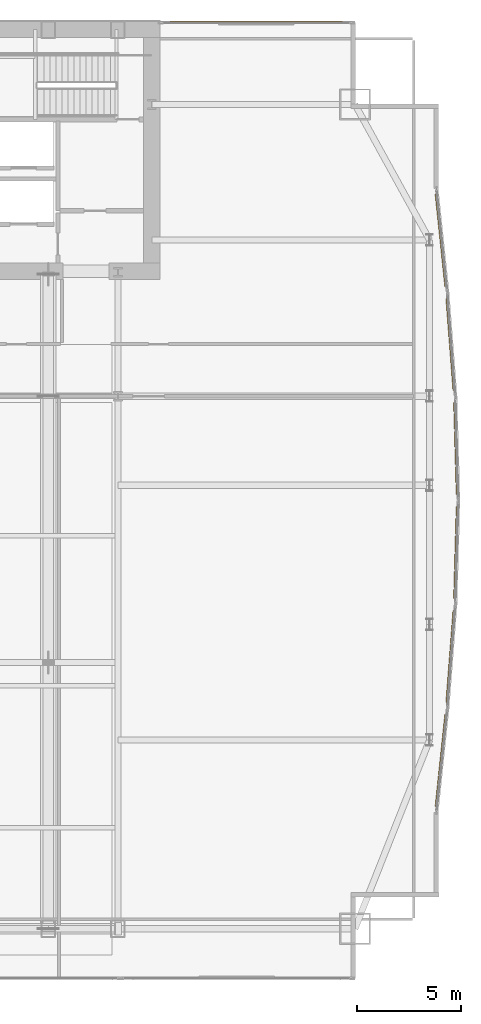
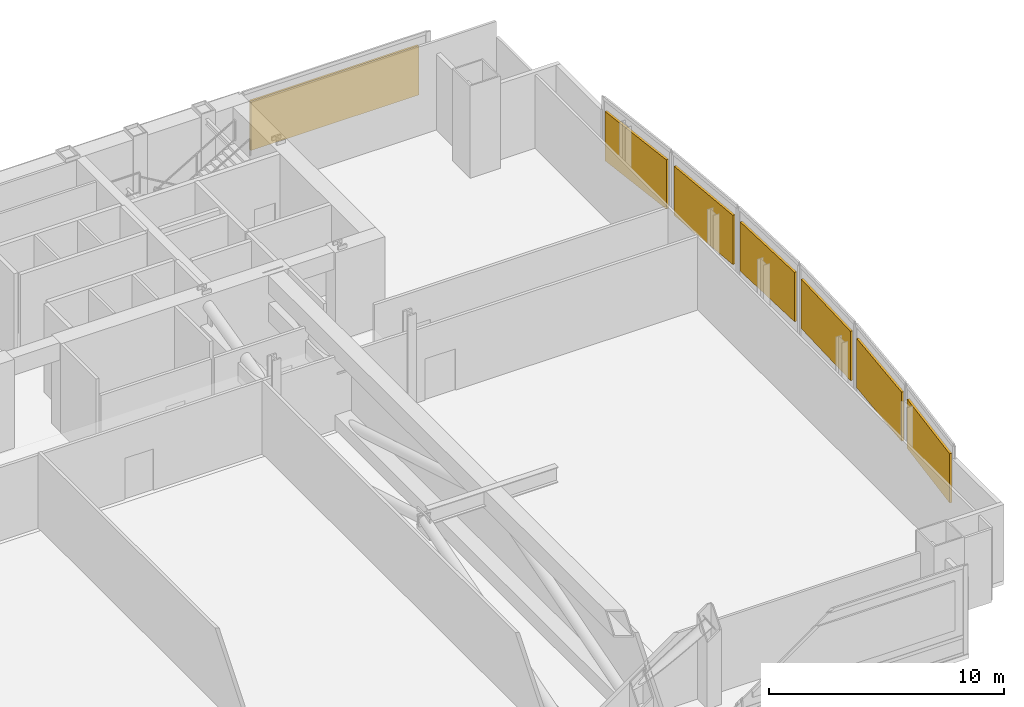
# One storey, part 32 of 32: 7 shading devices.
"""IFC4 building model written with IfcOpenShell, lengths in metres."""

from ifc_helpers import new_model, si_unit, direction, frame, origin, origin_2d, place, context, subcontext, project, spatial, rectangle, extrude, material, layer, layer_set, type_object, element, save


model = new_model("IFC4")

# Units and contexts
model_context = context("Model", 3, precision=1e-05, world=origin(), true_north=direction((0.0, 1.0)))
body_context = subcontext(model_context, "Body", "Model", "MODEL_VIEW")
ifc_project = project(units=[si_unit("LENGTHUNIT", "METRE"), si_unit("AREAUNIT", "SQUARE_METRE"), si_unit("VOLUMEUNIT", "CUBIC_METRE"), si_unit("PLANEANGLEUNIT", "RADIAN"), si_unit("MASSUNIT", "GRAM", prefix="KILO")], contexts=[model_context])

# Site, building, storey
site_placement = place(None, origin())
site = spatial("IfcSite", under=ifc_project, at=site_placement, CompositionType="ELEMENT")
building_placement = place(site_placement, origin())
building = spatial("IfcBuilding", under=site, at=building_placement, Name="Khoronbel Lancet Exchange", CompositionType="ELEMENT")
storey_placement = place(building_placement, frame((0.0, 0.0, 85.800048828125)))
storey = spatial("IfcBuildingStorey", under=building, at=storey_placement, Name="L20", CompositionType="ELEMENT", Elevation=85.800048828125)

# Shading devices
ifc_material = material(Name="Bronze-Anodised Aluminium 6063-T6", Category="aluminium")
ifc_layer = layer(ifc_material, 0.1201171875, Name="Bronze-Anodised Aluminium 6063-T6")
ifc_layer_set = layer_set([ifc_layer], Name="Bronze-Anodised Aluminium 6063-T6")
shading_device_type = type_object("IfcShadingDeviceType", Name="SHD-LVR1", PredefinedType="JALOUSIE", material=ifc_layer_set)
shading_device_1_placement = place(storey_placement, frame((61.320068359375, 53.64990234375, 1.46826171875), z_axis=(0.0, 0.0, 1.0), x_axis=(-1.0, 0.0, 0.0)))
element("IfcShadingDevice", 1, at=shading_device_1_placement, inside=storey, type_object=shading_device_type, Name="Sand-trap bronze acoustic louvre CW-L20-NEFLK-1", PredefinedType="JALOUSIE", context=body_context, shape_type="SweptSolid", body=[
    extrude(rectangle(XDim=8.27099609375, YDim=0.1201171875, at=origin_2d()), origin(), (0.0, 0.0, 1.0), 2.563232421875),
])
shading_device_2_placement = place(storey_placement, frame((70.182861328125, 43.189453125, 1.46826171875), z_axis=(0.0, 0.0, 1.0), x_axis=(0.104434383958, -0.994531779003, 0.0)))
element("IfcShadingDevice", 2, at=shading_device_2_placement, inside=storey, type_object=shading_device_type, Name="Sand-trap bronze acoustic louvre CW-L20-E17-1", PredefinedType="JALOUSIE", context=body_context, shape_type="SweptSolid", body=[
    extrude(rectangle(XDim=4.44677734375, YDim=0.1201171875, at=origin_2d()), origin(), (0.0, 0.0, 1.0), 2.563232421875),
])
shading_device_3_placement = place(storey_placement, frame((70.637451171875, 38.1904296875, 1.46826171875), z_axis=(0.0, 0.0, 1.0), x_axis=(0.076626304874, -0.997059882555, 0.0)))
element("IfcShadingDevice", 3, at=shading_device_3_placement, inside=storey, type_object=shading_device_type, Name="Sand-trap bronze acoustic louvre CW-L20-E18-1", PredefinedType="JALOUSIE", context=body_context, shape_type="SweptSolid", body=[
    extrude(rectangle(XDim=4.42919921875, YDim=0.1201171875, at=origin_2d()), origin(), (0.0, 0.0, 1.0), 2.563232421875),
])
for number, where, z_axis, x_axis, name in (
    (4, (70.899658203125, 33.196533203125, 1.46826171875), (0.0, 0.0, 1.0), (0.028135315146, -0.999604123662, 0.0), "Sand-trap bronze acoustic louvre CW-L20-E19-1"),
    (5, (70.899658203125, 28.20361328125, 1.46826171875), (0.0, 0.0, 1.0), (-0.028135315146, -0.999604123662, 0.0), "Sand-trap bronze acoustic louvre CW-L20-E20-1"),
):
    element("IfcShadingDevice", number, at=place(storey_placement, frame(where, z_axis=z_axis, x_axis=x_axis)), inside=storey, type_object=shading_device_type, Name=name, PredefinedType="JALOUSIE", context=body_context, shape_type="SweptSolid", body=[
        extrude(rectangle(XDim=4.41650390625, YDim=0.1201171875, at=origin_2d()), origin(), (0.0, 0.0, 1.0), 2.563232421875),
    ])
shading_device_4_placement = place(storey_placement, frame((70.637451171875, 23.20947265625, 1.46826171875), z_axis=(0.0, 0.0, 1.0), x_axis=(-0.076626304874, -0.997059882555, 0.0)))
element("IfcShadingDevice", 6, at=shading_device_4_placement, inside=storey, type_object=shading_device_type, Name="Sand-trap bronze acoustic louvre CW-L20-E21-1", PredefinedType="JALOUSIE", context=body_context, shape_type="SweptSolid", body=[
    extrude(rectangle(XDim=4.42919921875, YDim=0.1201171875, at=origin_2d()), origin(), (0.0, 0.0, 1.0), 2.563232421875),
])
shading_device_5_placement = place(storey_placement, frame((70.182861328125, 18.210693359375, 1.46826171875), z_axis=(0.0, 0.0, 1.0), x_axis=(-0.104434383958, -0.994531779003, 0.0)))
element("IfcShadingDevice", 7, at=shading_device_5_placement, inside=storey, type_object=shading_device_type, Name="Sand-trap bronze acoustic louvre CW-L20-E22-1", PredefinedType="JALOUSIE", context=body_context, shape_type="SweptSolid", body=[
    extrude(rectangle(XDim=4.44677734375, YDim=0.1201171875, at=origin_2d()), origin(), (0.0, 0.0, 1.0), 2.563232421875),
])

save(model, "model.ifc")
